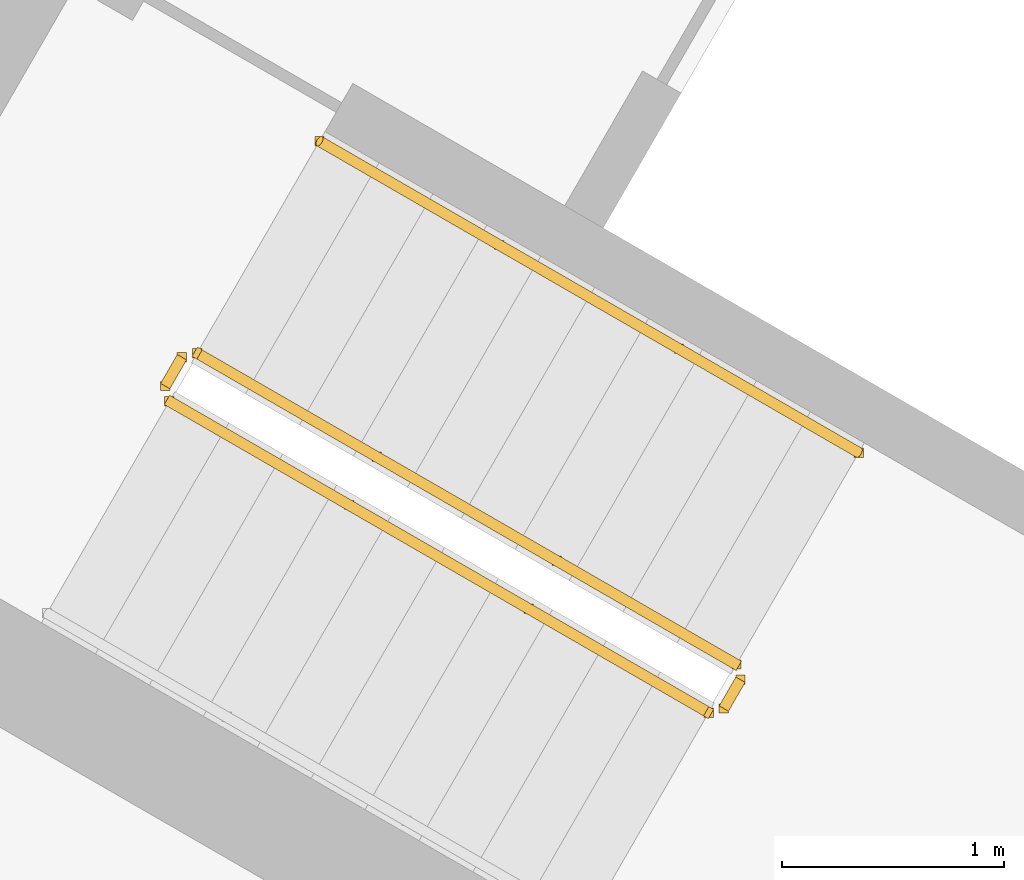
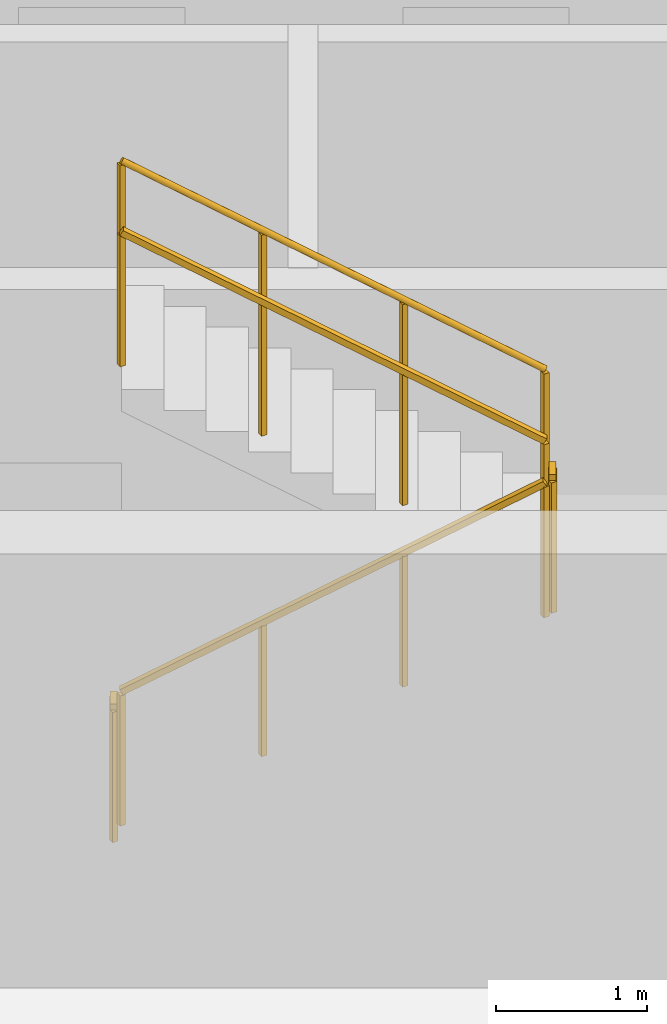
# One storey, part 11 of 13: 5 railings.
"""IFC4 building model written with IfcOpenShell, lengths in metres."""

from ifc_helpers import new_model, si_unit, direction, frame, origin, origin_2d, place, context, subcontext, project, spatial, rectangle, circle, extrude, material, type_object, element, save


model = new_model("IFC4")

# Units and contexts
model_context = context("Model", 3, precision=1e-05, world=origin(), true_north=direction((0.0, 1.0)))
body_context = subcontext(model_context, "Body", "Model", "MODEL_VIEW")
ifc_project = project(units=[si_unit("LENGTHUNIT", "METRE"), si_unit("AREAUNIT", "SQUARE_METRE"), si_unit("VOLUMEUNIT", "CUBIC_METRE"), si_unit("PLANEANGLEUNIT", "RADIAN"), si_unit("MASSUNIT", "GRAM", prefix="KILO")], contexts=[model_context])

# Site, building, storey
site_placement = place(None, origin())
site = spatial("IfcSite", under=ifc_project, at=site_placement, CompositionType="ELEMENT")
building_placement = place(site_placement, origin())
building = spatial("IfcBuilding", under=site, at=building_placement, Name="Apuvela Tower Hotel", CompositionType="ELEMENT")
storey_placement = place(building_placement, frame((0.0, 0.0, 83.5)))
storey = spatial("IfcBuildingStorey", under=building, at=storey_placement, Name="L18", CompositionType="ELEMENT", Elevation=83.5)

# Railings
ifc_material_1 = material(Name="Steel S275 balustrade", Category="steel")
railing_type_1 = type_object("IfcRailingType", Name="COR-GUARD-1100", PredefinedType="GUARDRAIL", material=ifc_material_1)
railing_1_placement = place(storey_placement, frame((10.718994140625, -10.63427734375, 0.168212890625)))
element("IfcRailing", 1, at=railing_1_placement, inside=storey, type_object=railing_type_1, Name="L18 ST3 stair guard 1", PredefinedType="GUARDRAIL", context=body_context, shape_type="SweptSolid", body=[
    extrude(rectangle(XDim=0.048095703125, YDim=0.048095703125, at=origin_2d()), frame((0.0, 0.0, 1.076171875), z_axis=(0.742390482028, -0.42860119049, 0.514934356695), x_axis=(0.49998411664, 0.866034573852, 0.0)), (0.0, 0.0, 1.0), 3.26611328125),
    extrude(rectangle(XDim=0.0419921875, YDim=0.0419921875, at=origin_2d()), origin(), (0.0, 0.0, 1.0), 1.052001953125),
    extrude(rectangle(XDim=0.0419921875, YDim=0.0419921875, at=origin_2d()), frame((0.808349609375, -0.466552734375, 0.560546875)), (0.0, 0.0, 1.0), 1.052001953125),
    extrude(rectangle(XDim=0.0419921875, YDim=0.0419921875, at=origin_2d()), frame((1.616455078125, -0.933349609375, 1.121337890625)), (0.0, 0.0, 1.0), 1.052001953125),
    extrude(rectangle(XDim=0.0419921875, YDim=0.0419921875, at=origin_2d()), frame((2.4248046875, -1.39990234375, 1.681884765625)), (0.0, 0.0, 1.0), 1.052001953125),
])
railing_2_placement = place(storey_placement, frame((13.212158203125, -12.015869140625, 1.85009765625)))
element("IfcRailing", 2, at=railing_2_placement, inside=storey, type_object=railing_type_1, Name="L18 ST3 stair guard 2", PredefinedType="GUARDRAIL", context=body_context, shape_type="SweptSolid", body=[
    extrude(rectangle(XDim=0.048095703125, YDim=0.048095703125, at=origin_2d()), frame((0.0, 0.0, 1.076171875), z_axis=(0.499816412211, 0.866131372301, 0.0), x_axis=(-0.866131372301, 0.499816412211, 0.0)), (0.0, 0.0, 1.0), 0.14990234375),
    extrude(rectangle(XDim=0.0419921875, YDim=0.0419921875, at=origin_2d()), origin(), (0.0, 0.0, 1.0), 1.052001953125),
    extrude(rectangle(XDim=0.0419921875, YDim=0.0419921875, at=origin_2d()), frame((0.074951171875, 0.1298828125, 0.0)), (0.0, 0.0, 1.0), 1.052001953125),
])
railing_3_placement = place(storey_placement, frame((13.268798828125, -11.817626953125, 2.01806640625)))
element("IfcRailing", 3, at=railing_3_placement, inside=storey, type_object=railing_type_1, Name="L18 ST3 stair guard 3", PredefinedType="GUARDRAIL", context=body_context, shape_type="SweptSolid", body=[
    extrude(rectangle(XDim=0.048095703125, YDim=0.048095703125, at=origin_2d()), frame((0.0, 0.0, 1.076171875), z_axis=(-0.742390482028, 0.42860119049, 0.514934356695), x_axis=(-0.49998411664, -0.866034573852, 0.0)), (0.0, 0.0, 1.0), 3.26611328125),
    extrude(rectangle(XDim=0.0419921875, YDim=0.0419921875, at=origin_2d()), origin(), (0.0, 0.0, 1.0), 1.052001953125),
    extrude(rectangle(XDim=0.0419921875, YDim=0.0419921875, at=origin_2d()), frame((-0.808349609375, 0.466552734375, 0.560546875)), (0.0, 0.0, 1.0), 1.052001953125),
    extrude(rectangle(XDim=0.0419921875, YDim=0.0419921875, at=origin_2d()), frame((-1.616455078125, 0.933349609375, 1.121337890625)), (0.0, 0.0, 1.0), 1.052001953125),
    extrude(rectangle(XDim=0.0419921875, YDim=0.0419921875, at=origin_2d()), frame((-2.4248046875, 1.39990234375, 1.681884765625)), (0.0, 0.0, 1.0), 1.052001953125),
])
railing_4_placement = place(storey_placement, frame((10.70068359375, -10.56591796875, 0.0)))
element("IfcRailing", 4, at=railing_4_placement, inside=storey, type_object=railing_type_1, Name="L18 ST3 stair guard 4", PredefinedType="GUARDRAIL", context=body_context, shape_type="SweptSolid", body=[
    extrude(rectangle(XDim=0.048095703125, YDim=0.048095703125, at=origin_2d()), frame((0.0, 0.0, 1.076171875), z_axis=(0.499816412211, 0.866131372301, 0.0), x_axis=(-0.866131372301, 0.499816412211, 0.0)), (0.0, 0.0, 1.0), 0.14990234375),
    extrude(rectangle(XDim=0.0419921875, YDim=0.0419921875, at=origin_2d()), origin(), (0.0, 0.0, 1.0), 1.052001953125),
    extrude(rectangle(XDim=0.0419921875, YDim=0.0419921875, at=origin_2d()), frame((0.074951171875, 0.1298828125, 0.0)), (0.0, 0.0, 1.0), 1.052001953125),
])
ifc_material_2 = material(Name="Stainless steel 316 handrail", Category="steel")
railing_type_2 = type_object("IfcRailingType", Name="COR-HANDRAIL-900", PredefinedType="HANDRAIL", material=ifc_material_2)
railing_5_placement = place(storey_placement, frame((13.81884765625, -10.864990234375, 2.01806640625)))
element("IfcRailing", 5, at=railing_5_placement, inside=storey, type_object=railing_type_2, Name="L18 ST3 stair handrail 2", PredefinedType="HANDRAIL", context=body_context, shape_type="SweptSolid", body=[
    extrude(circle(Radius=0.02392578125, at=origin_2d()), frame((0.0, 0.0, 0.8759765625), z_axis=(-0.742390482028, 0.42860119049, 0.514934356695), x_axis=(-0.49998411664, -0.866034573852, 0.0)), (0.0, 0.0, 1.0), 3.26611328125),
    extrude(rectangle(XDim=0.0419921875, YDim=0.0419921875, at=origin_2d()), origin(), (0.0, 0.0, 1.0), 0.851806640625),
    extrude(rectangle(XDim=0.0419921875, YDim=0.0419921875, at=origin_2d()), frame((-0.808349609375, 0.466552734375, 0.560546875)), (0.0, 0.0, 1.0), 0.851806640625),
    extrude(rectangle(XDim=0.0419921875, YDim=0.0419921875, at=origin_2d()), frame((-1.616455078125, 0.933349609375, 1.121337890625)), (0.0, 0.0, 1.0), 0.851806640625),
    extrude(rectangle(XDim=0.0419921875, YDim=0.0419921875, at=origin_2d()), frame((-2.4248046875, 1.39990234375, 1.681884765625)), (0.0, 0.0, 1.0), 0.851806640625),
])

save(model, "model.ifc")
